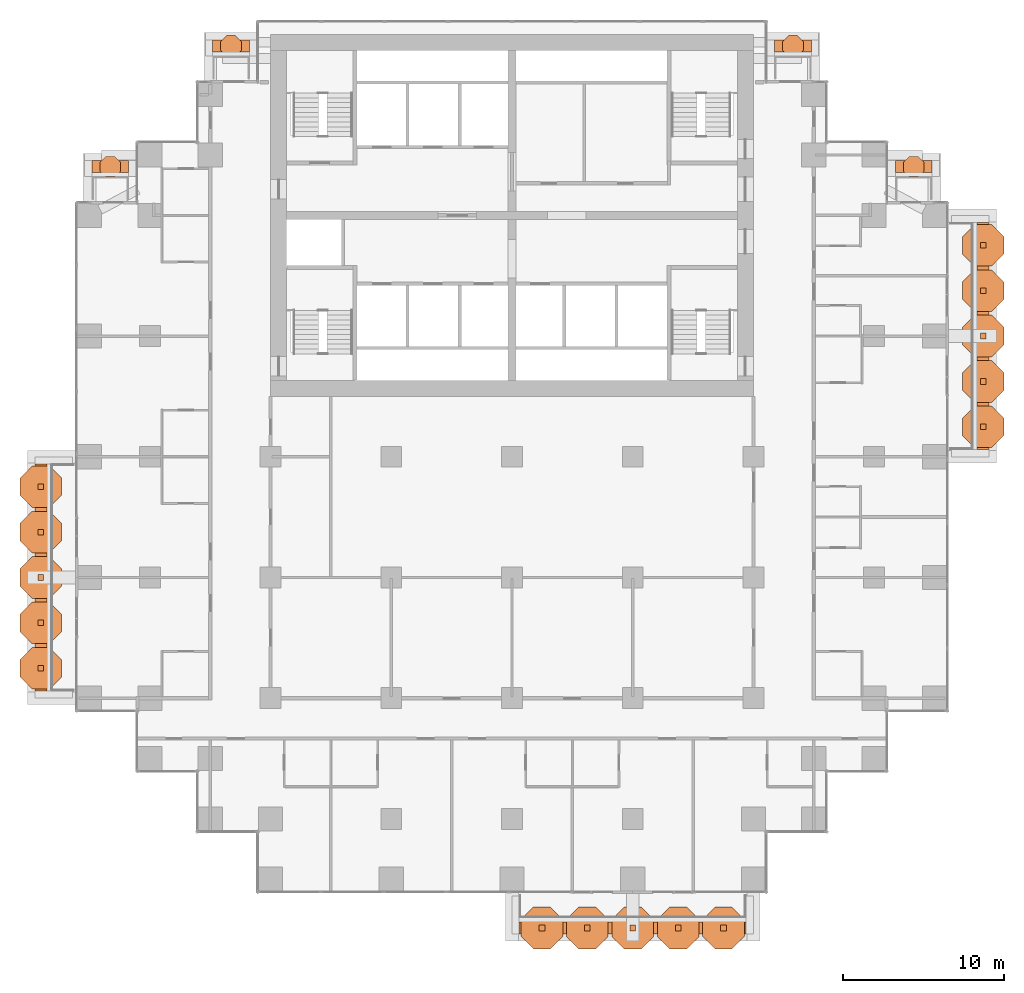
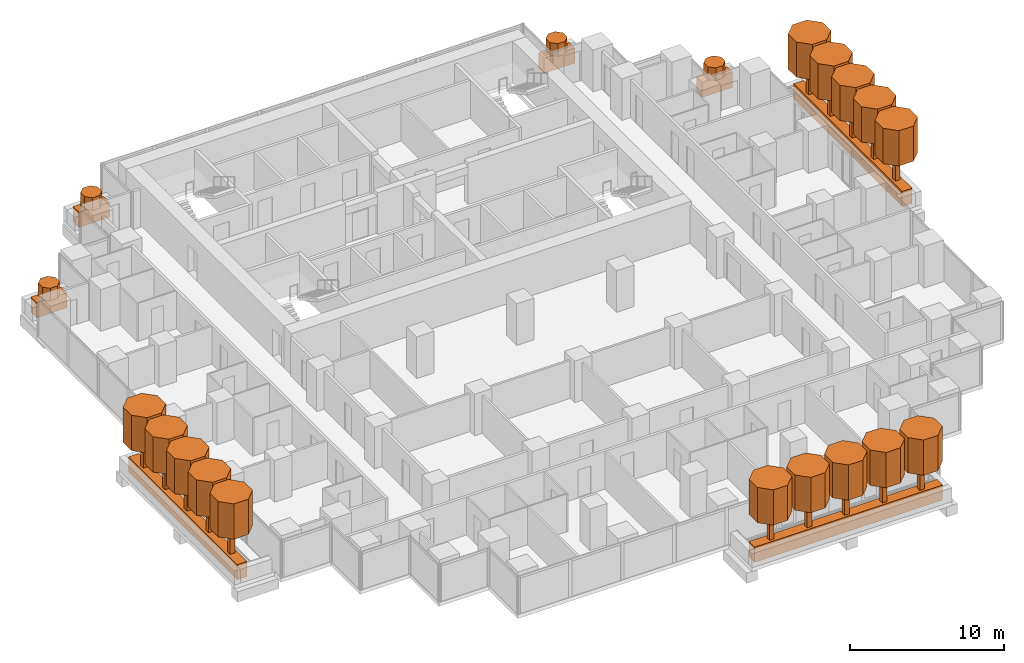
# One storey, part 19 of 19: 41 geographic elements.
"""IFC4 building model written with IfcOpenShell, lengths in metres."""

from ifc_helpers import new_model, si_unit, direction, frame, origin, origin_2d, place, context, subcontext, project, spatial, polyline, rectangle, outline, extrude, material, material_profile, profile_set, type_object, element, save


model = new_model("IFC4")

# Units and contexts
model_context = context("Model", 3, precision=1e-05, world=origin(), true_north=direction((0.0, 1.0)))
body_context = subcontext(model_context, "Body", "Model", "MODEL_VIEW")
ifc_project = project(units=[si_unit("LENGTHUNIT", "METRE"), si_unit("AREAUNIT", "SQUARE_METRE"), si_unit("VOLUMEUNIT", "CUBIC_METRE"), si_unit("PLANEANGLEUNIT", "RADIAN"), si_unit("MASSUNIT", "GRAM", prefix="KILO")], contexts=[model_context])

# Site, building, storey
site_placement = place(None, origin())
site = spatial("IfcSite", under=ifc_project, at=site_placement, CompositionType="ELEMENT")
building_placement = place(site_placement, origin())
building = spatial("IfcBuilding", under=site, at=building_placement, Name="Pilkhan Gate Tower", CompositionType="ELEMENT")
storey_placement = place(building_placement, frame((0.0, 0.0, 79.10009765625)))
storey = spatial("IfcBuildingStorey", under=building, at=storey_placement, Name="L18", CompositionType="ELEMENT", Elevation=79.10009765625)

# Geographic elements
ifc_material_1 = material(Name="Foliage")
ifc_material_profile_1 = material_profile(ifc_material_1, rectangle(XDim=0.75, YDim=1.199951171875, at=origin_2d()), Name="Bed 750x1200")
ifc_profile_set_1 = profile_set([ifc_material_profile_1], Name="Foliage")
geographic_element_type_1 = type_object("IfcGeographicElementType", Name="Planting bed PB1", PredefinedType="USERDEFINED", material=ifc_profile_set_1)
for number, where, z_axis, x_axis, name in (
    (1, (75.449951171875, 38.22509765625, 0.599853515625), (1.0, 0.0, 0.0), (0.0, 1.0, 0.0), "Balcony L18 S planting bed"),
    (2, (104.27490234375, 67.949951171875, 0.599853515625), (0.0, 1.0, 0.0), (-1.0, 0.0, 0.0), "Balcony L18 E planting bed"),
):
    element("IfcGeographicElement", number, at=place(storey_placement, frame(where, z_axis=z_axis, x_axis=x_axis)), inside=storey, type_object=geographic_element_type_1, Name=name, ObjectType="PLANTING BED", PredefinedType="USERDEFINED", context=body_context, shape_type="SweptSolid", body=[
        extrude(rectangle(XDim=0.75, YDim=1.199951171875, at=origin_2d()), origin(), (0.0, 0.0, 1.0), 14.10009765625),
    ])
for number, where, z_axis, x_axis, name in (
    (3, (56.39990234375, 93.02490234375, 0.599853515625), (1.0, 0.0, 0.0), (0.0, 1.0, 0.0), "Balcony L18 N planting bed"),
    (4, (91.300048828125, 93.02490234375, 0.599853515625), (1.0, 0.0, 0.0), (0.0, 1.0, 0.0), "Balcony L18 N planting bed"),
):
    element("IfcGeographicElement", number, at=place(storey_placement, frame(where, z_axis=z_axis, x_axis=x_axis)), inside=storey, type_object=geographic_element_type_1, Name=name, ObjectType="PLANTING BED", PredefinedType="USERDEFINED", context=body_context, shape_type="SweptSolid", body=[
        extrude(rectangle(XDim=0.75, YDim=1.199951171875, at=origin_2d()), origin(), (0.0, 0.0, 1.0), 2.300048828125),
    ])
for number, where, z_axis, x_axis, name in (
    (5, (48.89990234375, 85.52490234375, 0.599853515625), (1.0, 0.0, 0.0), (0.0, 1.0, 0.0), "Balcony L18 N planting bed"),
    (6, (98.820068359375, 85.52490234375, 0.599853515625), (1.0, 0.0, 0.0), (0.0, 1.0, 0.0), "Balcony L18 N planting bed"),
):
    element("IfcGeographicElement", number, at=place(storey_placement, frame(where, z_axis=z_axis, x_axis=x_axis)), inside=storey, type_object=geographic_element_type_1, Name=name, ObjectType="PLANTING BED", PredefinedType="USERDEFINED", context=body_context, shape_type="SweptSolid", body=[
        extrude(rectangle(XDim=0.75, YDim=1.199951171875, at=origin_2d()), origin(), (0.0, 0.0, 1.0), 2.280029296875),
    ])
geographic_element_placement = place(storey_placement, frame((45.72509765625, 52.949951171875, 0.599853515625), z_axis=(0.0, 1.0, 0.0), x_axis=(-1.0, 0.0, 0.0)))
element("IfcGeographicElement", 7, at=geographic_element_placement, inside=storey, type_object=geographic_element_type_1, Name="Balcony L18 W planting bed", ObjectType="PLANTING BED", PredefinedType="USERDEFINED", context=body_context, shape_type="SweptSolid", body=[
    extrude(rectangle(XDim=0.75, YDim=1.199951171875, at=origin_2d()), origin(), (0.0, 0.0, 1.0), 14.10009765625),
])
ifc_material_profile_2 = material_profile(ifc_material_1, outline(polyline([(0.646728515625, 0.267822265625), (0.267822265625, 0.646728515625), (-0.267822265625, 0.646728515625), (-0.646728515625, 0.267822265625), (-0.646728515625, -0.267822265625), (-0.267822265625, -0.646728515625), (0.267822265625, -0.646728515625), (0.646728515625, -0.267822265625), (0.646728515625, 0.267822265625)])), Name="Shrub D1.4")
ifc_profile_set_2 = profile_set([ifc_material_profile_2], Name="Foliage")
geographic_element_type_2 = type_object("IfcGeographicElementType", Name="Shrub SH07", PredefinedType="USERDEFINED", material=ifc_profile_set_2)
for number, where, z_axis, x_axis, name in (
    (8, (57.550048828125, 93.02490234375, 1.199951171875), (0.0, 0.0, 1.0), (1.0, 0.0, 0.0), "Shrub L18 N 1"),
    (9, (92.449951171875, 93.02490234375, 1.199951171875), (0.0, 0.0, 1.0), (1.0, 0.0, 0.0), "Shrub L18 N 1"),
    (10, (50.0400390625, 85.52490234375, 1.199951171875), (0.0, 0.0, 1.0), (1.0, 0.0, 0.0), "Shrub L18 N 1"),
    (11, (99.9599609375, 85.52490234375, 1.199951171875), (0.0, 0.0, 1.0), (1.0, 0.0, 0.0), "Shrub L18 N 1"),
):
    element("IfcGeographicElement", number, at=place(storey_placement, frame(where, z_axis=z_axis, x_axis=x_axis)), inside=storey, type_object=geographic_element_type_2, Name=name, ObjectType="SHRUB", PredefinedType="USERDEFINED", context=body_context, shape_type="SweptSolid", body=[
        extrude(outline(polyline([(0.646728515625, 0.267822265625), (0.267822265625, 0.646728515625), (-0.267822265625, 0.646728515625), (-0.646728515625, 0.267822265625), (-0.646728515625, -0.267822265625), (-0.267822265625, -0.646728515625), (0.267822265625, -0.646728515625), (0.646728515625, -0.267822265625), (0.646728515625, 0.267822265625)])), origin(), (0.0, 0.0, 1.0), 1.0),
    ])
ifc_material_profile_3 = material_profile(ifc_material_1, outline(polyline([(1.29345703125, 0.535888671875), (0.535888671875, 1.29345703125), (-0.535888671875, 1.29345703125), (-1.29345703125, 0.535888671875), (-1.29345703125, -0.535888671875), (-0.535888671875, -1.29345703125), (0.535888671875, -1.29345703125), (1.29345703125, -0.535888671875), (1.29345703125, 0.535888671875)])), Name="Canopy D2.8")
ifc_profile_set_3 = profile_set([ifc_material_profile_3], Name="Foliage")
geographic_element_type_3 = type_object("IfcGeographicElementType", Name="Tree canopy TC14", PredefinedType="USERDEFINED", material=ifc_profile_set_3)
for number, where, z_axis, x_axis, name in (
    (12, (76.860107421875, 38.22509765625, 3.199951171875), (0.0, 0.0, 1.0), (1.0, 0.0, 0.0), "Tree L18 S 1 canopy"),
    (13, (79.679931640625, 38.22509765625, 3.199951171875), (0.0, 0.0, 1.0), (1.0, 0.0, 0.0), "Tree L18 S 2 canopy"),
    (14, (82.5, 38.22509765625, 3.199951171875), (0.0, 0.0, 1.0), (1.0, 0.0, 0.0), "Tree L18 S 3 canopy"),
    (15, (85.320068359375, 38.22509765625, 3.199951171875), (0.0, 0.0, 1.0), (1.0, 0.0, 0.0), "Tree L18 S 4 canopy"),
    (16, (88.139892578125, 38.22509765625, 3.199951171875), (0.0, 0.0, 1.0), (1.0, 0.0, 0.0), "Tree L18 S 5 canopy"),
    (17, (104.27490234375, 69.360107421875, 3.199951171875), (0.0, 0.0, 1.0), (1.0, 0.0, 0.0), "Tree L18 E 1 canopy"),
    (18, (104.27490234375, 72.179931640625, 3.199951171875), (0.0, 0.0, 1.0), (1.0, 0.0, 0.0), "Tree L18 E 2 canopy"),
    (19, (104.27490234375, 75.0, 3.199951171875), (0.0, 0.0, 1.0), (1.0, 0.0, 0.0), "Tree L18 E 3 canopy"),
    (20, (104.27490234375, 77.820068359375, 3.199951171875), (0.0, 0.0, 1.0), (1.0, 0.0, 0.0), "Tree L18 E 4 canopy"),
    (21, (104.27490234375, 80.639892578125, 3.199951171875), (0.0, 0.0, 1.0), (1.0, 0.0, 0.0), "Tree L18 E 5 canopy"),
    (22, (45.72509765625, 54.360107421875, 3.199951171875), (0.0, 0.0, 1.0), (1.0, 0.0, 0.0), "Tree L18 W 1 canopy"),
    (23, (45.72509765625, 57.179931640625, 3.199951171875), (0.0, 0.0, 1.0), (1.0, 0.0, 0.0), "Tree L18 W 2 canopy"),
    (24, (45.72509765625, 60.0, 3.199951171875), (0.0, 0.0, 1.0), (1.0, 0.0, 0.0), "Tree L18 W 3 canopy"),
    (25, (45.72509765625, 62.820068359375, 3.199951171875), (0.0, 0.0, 1.0), (1.0, 0.0, 0.0), "Tree L18 W 4 canopy"),
    (26, (45.72509765625, 65.639892578125, 3.199951171875), (0.0, 0.0, 1.0), (1.0, 0.0, 0.0), "Tree L18 W 5 canopy"),
):
    element("IfcGeographicElement", number, at=place(storey_placement, frame(where, z_axis=z_axis, x_axis=x_axis)), inside=storey, type_object=geographic_element_type_3, Name=name, ObjectType="TREE", PredefinedType="USERDEFINED", context=body_context, shape_type="SweptSolid", body=[
        extrude(outline(polyline([(1.29345703125, 0.535888671875), (0.535888671875, 1.29345703125), (-0.535888671875, 1.29345703125), (-1.29345703125, 0.535888671875), (-1.29345703125, -0.535888671875), (-0.535888671875, -1.29345703125), (0.535888671875, -1.29345703125), (1.29345703125, -0.535888671875), (1.29345703125, 0.535888671875)])), origin(), (0.0, 0.0, 1.0), 2.800048828125),
    ])
ifc_material_2 = material(Name="Timber trunk", Category="wood")
geographic_element_type_4 = type_object("IfcGeographicElementType", Name="Tree trunk TT1", PredefinedType="USERDEFINED", material=ifc_material_2)
for number, where, z_axis, x_axis, name in (
    (27, (76.860107421875, 38.22509765625, 1.199951171875), (0.0, 0.0, 1.0), (1.0, 0.0, 0.0), "Tree L18 S 1 trunk"),
    (28, (79.679931640625, 38.22509765625, 1.199951171875), (0.0, 0.0, 1.0), (1.0, 0.0, 0.0), "Tree L18 S 2 trunk"),
    (29, (82.5, 38.22509765625, 1.199951171875), (0.0, 0.0, 1.0), (1.0, 0.0, 0.0), "Tree L18 S 3 trunk"),
    (30, (85.320068359375, 38.22509765625, 1.199951171875), (0.0, 0.0, 1.0), (1.0, 0.0, 0.0), "Tree L18 S 4 trunk"),
    (31, (88.139892578125, 38.22509765625, 1.199951171875), (0.0, 0.0, 1.0), (1.0, 0.0, 0.0), "Tree L18 S 5 trunk"),
    (32, (104.27490234375, 69.360107421875, 1.199951171875), (0.0, 0.0, 1.0), (1.0, 0.0, 0.0), "Tree L18 E 1 trunk"),
    (33, (104.27490234375, 72.179931640625, 1.199951171875), (0.0, 0.0, 1.0), (1.0, 0.0, 0.0), "Tree L18 E 2 trunk"),
    (34, (104.27490234375, 75.0, 1.199951171875), (0.0, 0.0, 1.0), (1.0, 0.0, 0.0), "Tree L18 E 3 trunk"),
    (35, (104.27490234375, 77.820068359375, 1.199951171875), (0.0, 0.0, 1.0), (1.0, 0.0, 0.0), "Tree L18 E 4 trunk"),
    (36, (104.27490234375, 80.639892578125, 1.199951171875), (0.0, 0.0, 1.0), (1.0, 0.0, 0.0), "Tree L18 E 5 trunk"),
    (37, (45.72509765625, 54.360107421875, 1.199951171875), (0.0, 0.0, 1.0), (1.0, 0.0, 0.0), "Tree L18 W 1 trunk"),
    (38, (45.72509765625, 57.179931640625, 1.199951171875), (0.0, 0.0, 1.0), (1.0, 0.0, 0.0), "Tree L18 W 2 trunk"),
    (39, (45.72509765625, 60.0, 1.199951171875), (0.0, 0.0, 1.0), (1.0, 0.0, 0.0), "Tree L18 W 3 trunk"),
    (40, (45.72509765625, 62.820068359375, 1.199951171875), (0.0, 0.0, 1.0), (1.0, 0.0, 0.0), "Tree L18 W 4 trunk"),
    (41, (45.72509765625, 65.639892578125, 1.199951171875), (0.0, 0.0, 1.0), (1.0, 0.0, 0.0), "Tree L18 W 5 trunk"),
):
    element("IfcGeographicElement", number, at=place(storey_placement, frame(where, z_axis=z_axis, x_axis=x_axis)), inside=storey, type_object=geographic_element_type_4, Name=name, ObjectType="TREE", PredefinedType="USERDEFINED", context=body_context, shape_type="SweptSolid", body=[
        extrude(rectangle(XDim=0.35009765625, YDim=0.35009765625, at=origin_2d()), origin(), (0.0, 0.0, 1.0), 2.0),
    ])

save(model, "model.ifc")
